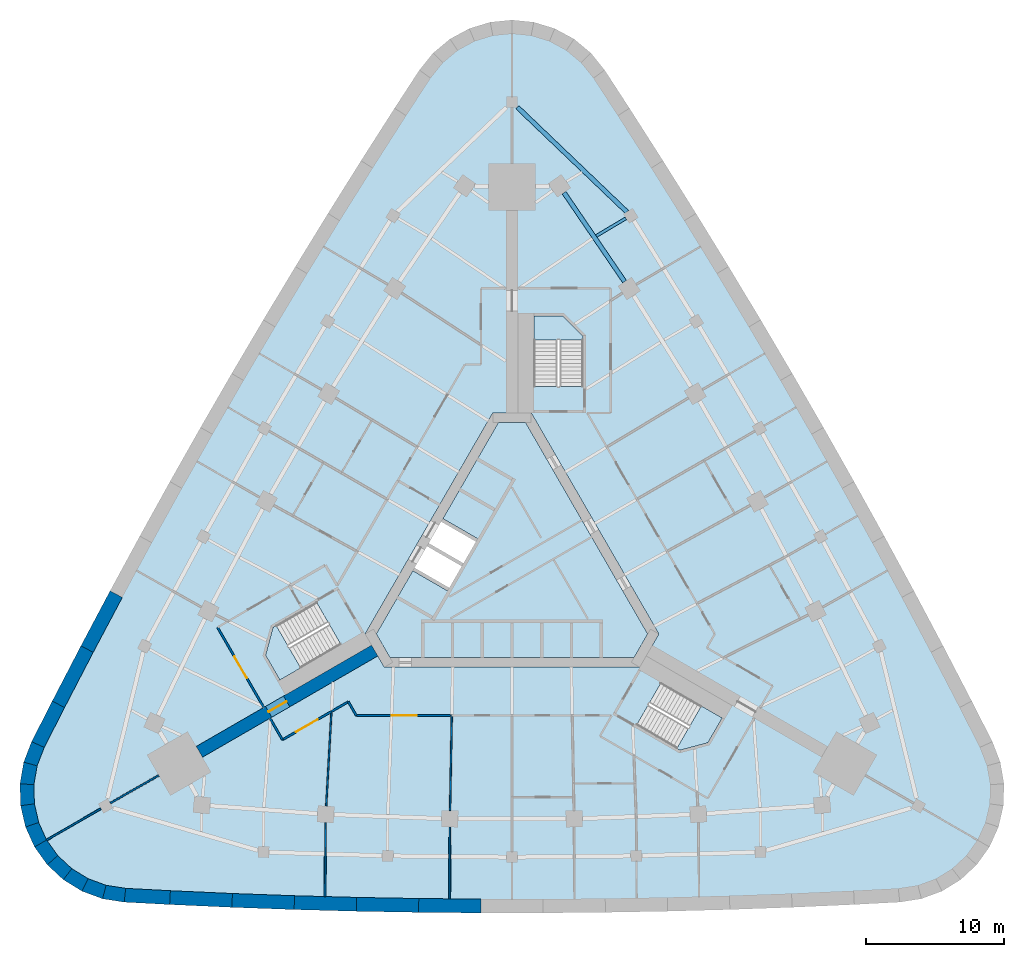
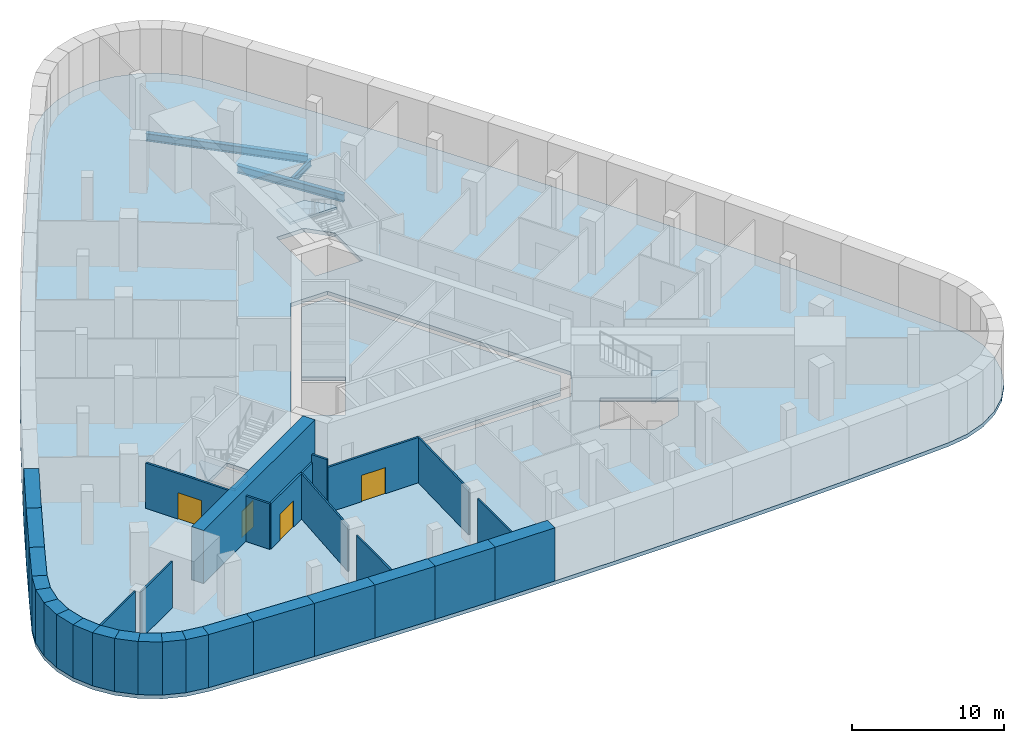
# One storey, part 3 of 9: 32 walls, 5 slabs, 4 doors, 3 beams, 4 openings, 3 elements without a shape of their own.
"""IFC4 building model written with IfcOpenShell, lengths in metres."""

import ifcopenshell
import ifcopenshell.guid

model = None  # the IFC model being written
_history = None  # IfcOwnerHistory: only IFC2X3 demands one
_inside = {}  # id of a spatial element -> (the spatial element, [elements in it])
_under = {}  # id of a project, library or spatial element -> (it, [spatial elements below it])
_declared = {}  # id of a project -> (the project, [libraries it declares])
_typed = {}  # id of a type object -> (the type object, [elements of that type])
_made_of = {}  # id of a material, layer set ... -> (it, [elements and type objects made of it])


def new_model(schema):
    """Start an empty IFC model of exactly this schema.

    Asked for "IFC4X3", IfcOpenShell would pick the latest addendum, in which some entities
    have other attributes; the version numbers below select the first issue.
    IFC2X3 requires an IfcOwnerHistory on every rooted entity: one is made here for all.
    """
    global model, _history
    if schema == "IFC4X3":
        model = ifcopenshell.file(schema_version=(4, 3, 0, 0))
    else:
        model = ifcopenshell.file(schema=schema)
    _inside.clear()
    _under.clear()
    _declared.clear()
    _typed.clear()
    _made_of.clear()
    _history = None
    if model.schema == "IFC2X3":
        org = make("IfcOrganization", Name="unknown")
        user = make(
            "IfcPersonAndOrganization",
            ThePerson=make("IfcPerson", FamilyName="unknown"),
            TheOrganization=org,
        )
        app = make(
            "IfcApplication",
            ApplicationDeveloper=org,
            Version="unknown",
            ApplicationFullName="unknown",
            ApplicationIdentifier="unknown",
        )
        _history = make(
            "IfcOwnerHistory",
            OwningUser=user,
            OwningApplication=app,
            ChangeAction="ADDED",
            CreationDate=0,
        )
    return model


def make(cls, **values):
    """One entity of the class cls with the attributes given. An attribute that is None is left unset."""
    return model.create_entity(
        cls, **{name: value for name, value in values.items() if value is not None}
    )


def rooted(cls, **values):
    """An entity with a GlobalId (a new one), such as an element, a storey or a relation."""
    return make(cls, GlobalId=ifcopenshell.guid.new(), OwnerHistory=_history, **values)


def si_unit(unit_type, name, prefix=None):
    """IfcSIUnit, for example si_unit("LENGTHUNIT", "METRE", prefix="MILLI")."""
    return make("IfcSIUnit", UnitType=unit_type, Prefix=prefix, Name=name)


def assignment(units):
    """IfcUnitAssignment: the units of a project."""
    return None if units is None else make("IfcUnitAssignment", Units=units)


def point(xyz):
    """IfcCartesianPoint."""
    return None if xyz is None else make("IfcCartesianPoint", Coordinates=xyz)


def direction(xyz):
    """IfcDirection."""
    return None if xyz is None else make("IfcDirection", DirectionRatios=xyz)


def frame(location, z_axis=None, x_axis=None):
    """IfcAxis2Placement3D, a coordinate frame: its origin and axes. An axis left out is left unset."""
    return make(
        "IfcAxis2Placement3D",
        Location=point(location),
        Axis=direction(z_axis),
        RefDirection=direction(x_axis),
    )


def frame_2d(location, x_axis=None):
    """IfcAxis2Placement2D, a coordinate frame in the plane: its origin and x axis."""
    return make(
        "IfcAxis2Placement2D", Location=point(location), RefDirection=direction(x_axis)
    )


def origin():
    """The frame at (0, 0, 0) with its axes left unset."""
    return frame((0.0, 0.0, 0.0))


def origin_2d():
    """The frame at (0, 0) in the plane with its x axis left unset."""
    return frame_2d((0.0, 0.0))


def place(relative_to, where):
    """IfcLocalPlacement: puts the frame where relative to a parent placement (None: the world)."""
    return make(
        "IfcLocalPlacement", PlacementRelTo=relative_to, RelativePlacement=where
    )


def context(
    kind, dimensions, precision=None, world=None, true_north=None, identifier=None
):
    """IfcGeometricRepresentationContext, for example the 3D "Model" context."""
    return make(
        "IfcGeometricRepresentationContext",
        ContextIdentifier=identifier,
        ContextType=kind,
        CoordinateSpaceDimension=dimensions,
        Precision=precision,
        WorldCoordinateSystem=world,
        TrueNorth=true_north,
    )


def subcontext(parent, identifier, kind, view, scale=None):
    """IfcGeometricRepresentationSubContext, for example "Body" below "Model"."""
    return make(
        "IfcGeometricRepresentationSubContext",
        ContextIdentifier=identifier,
        ContextType=kind,
        ParentContext=parent,
        TargetScale=scale,
        TargetView=view,
    )


def project(units=None, contexts=None):
    """IfcProject with its units and contexts."""
    return rooted(
        "IfcProject",
        Name="project",
        RepresentationContexts=contexts,
        UnitsInContext=assignment(units),
    )


def spatial(cls, under=None, at=None, **own):
    """A site, building, storey or space (cls), placed at a placement, below another one or the project."""
    s = rooted(cls, ObjectPlacement=at, **own)
    if under is not None:
        _under.setdefault(under.id(), (under, []))[1].append(s)
    return s


def polyline(points):
    """IfcPolyline through the points."""
    return make("IfcPolyline", Points=[point(p) for p in points])


def profile(cls, at=None, kind="AREA", **sizes):
    """A parametric profile (cls). Its sizes go by their IFC names, for example OverallWidth=200.0."""
    return make(cls, ProfileType=kind, Position=at, **sizes)


def rectangle(**sizes):
    """IfcRectangleProfileDef."""
    return profile("IfcRectangleProfileDef", **sizes)


def i_section(**sizes):
    """IfcIShapeProfileDef."""
    return profile("IfcIShapeProfileDef", **sizes)


def outline(outer, holes=None, kind="AREA"):
    """IfcArbitraryClosedProfileDef: a profile drawn as a closed curve; with holes, ...WithVoids."""
    if holes is None:
        return make("IfcArbitraryClosedProfileDef", ProfileType=kind, OuterCurve=outer)
    return make(
        "IfcArbitraryProfileDefWithVoids",
        ProfileType=kind,
        OuterCurve=outer,
        InnerCurves=holes,
    )


def extrude(swept, where, along, depth):
    """IfcExtrudedAreaSolid: the profile swept, set in the frame where, extruded along a direction by depth."""
    return make(
        "IfcExtrudedAreaSolid",
        SweptArea=swept,
        Position=where,
        ExtrudedDirection=direction(along),
        Depth=depth,
    )


def shape(context_of_items, identifier, shape_type, items):
    """IfcShapeRepresentation: the items that make up one representation, for example the "Body"."""
    return make(
        "IfcShapeRepresentation",
        ContextOfItems=context_of_items,
        RepresentationIdentifier=identifier,
        RepresentationType=shape_type,
        Items=items,
    )


def material(Name=None, Category=None):
    """IfcMaterial."""
    return make("IfcMaterial", Name=Name, Category=Category)


def layer(
    of_material, thickness, ventilated=None, Name=None, Category=None, Priority=None
):
    """IfcMaterialLayer: one layer of a wall or slab, of a material (None: an air gap)."""
    return make(
        "IfcMaterialLayer",
        Material=of_material,
        LayerThickness=thickness,
        IsVentilated=ventilated,
        Name=Name,
        Category=Category,
        Priority=Priority,
    )


def layer_set(layers, Name=None):
    """IfcMaterialLayerSet."""
    return make("IfcMaterialLayerSet", MaterialLayers=layers, LayerSetName=Name)


def material_profile(
    of_material, cross_section, Name=None, Category=None, Priority=None
):
    """IfcMaterialProfile: a cross section and its material."""
    return make(
        "IfcMaterialProfile",
        Name=Name,
        Material=of_material,
        Profile=cross_section,
        Priority=Priority,
        Category=Category,
    )


def profile_set(profiles, Name=None, composite=None):
    """IfcMaterialProfileSet."""
    return make(
        "IfcMaterialProfileSet",
        Name=Name,
        MaterialProfiles=profiles,
        CompositeProfile=composite,
    )


def made_of(thing, what):
    """Note that an element or type object is made of a material, layer set ...; save() writes the relation."""
    if what is not None:
        _made_of.setdefault(what.id(), (what, []))[1].append(thing)
    return thing


def type_object(cls, material=None, **own):
    """A type object (cls), such as IfcWallType, which elements share."""
    return made_of(rooted(cls, **own), material)


def element(
    cls,
    number,
    at=None,
    inside=None,
    cuts=None,
    type_object=None,
    material=None,
    context=None,
    identifier="Body",
    shape_type=None,
    held_by="IfcProductDefinitionShape",
    body=None,
    shapes=None,
    **own,
):
    """One element of the class cls, such as IfcWall. Its Tag is "e" and its number.

    at: its placement. inside: the storey or other place that contains it. cuts: it is an
    opening in that element (IfcRelVoidsElement). A single representation is given by context,
    identifier, shape_type and body (its items); several are given by shapes. held_by: the class
    of the entity that holds the representations. save() writes the other relations.
    """
    e = rooted(cls, Tag="e%d" % number, ObjectPlacement=at, **own)
    if body is not None:
        shapes = [shape(context, identifier, shape_type, body)]
    if shapes is not None:
        e.Representation = make(held_by, Representations=shapes)
    if inside is not None:
        _inside.setdefault(inside.id(), (inside, []))[1].append(e)
    if cuts is not None:
        rooted(
            "IfcRelVoidsElement", RelatingBuildingElement=cuts, RelatedOpeningElement=e
        )
    if type_object is not None:
        _typed.setdefault(type_object.id(), (type_object, []))[1].append(e)
    return made_of(e, material)


def fill(opening, filler):
    """IfcRelFillsElement: the door or window that sits in an opening."""
    return rooted(
        "IfcRelFillsElement",
        RelatingOpeningElement=opening,
        RelatedBuildingElement=filler,
    )


def aggregate(whole, parts):
    """IfcRelAggregates: a whole, such as a stair, and the parts it consists of."""
    return rooted("IfcRelAggregates", RelatingObject=whole, RelatedObjects=parts)


def save(model, path):
    """Write the relations noted so far, then the file.

    IfcRelAggregates (storeys below a building ...), IfcRelContainedInSpatialStructure (elements
    in a storey), IfcRelDefinesByType, IfcRelAssociatesMaterial and IfcRelDeclares: one each for
    every whole, place, type object, material and project.
    """
    for whole, parts in _under.values():
        aggregate(whole, parts)
    for where, things in _inside.values():
        rooted(
            "IfcRelContainedInSpatialStructure",
            RelatedElements=things,
            RelatingStructure=where,
        )
    for kind, things in _typed.values():
        rooted("IfcRelDefinesByType", RelatedObjects=things, RelatingType=kind)
    for what, things in _made_of.values():
        rooted("IfcRelAssociatesMaterial", RelatedObjects=things, RelatingMaterial=what)
    for by, libraries in _declared.values():
        rooted("IfcRelDeclares", RelatingContext=by, RelatedDefinitions=libraries)
    model.write(path)


model = new_model("IFC4")

# Units and contexts
model_context = context("Model", 3, precision=1e-05, world=origin(), true_north=direction((0.0, 1.0)))
body_context = subcontext(model_context, "Body", "Model", "MODEL_VIEW")
ifc_project = project(units=[si_unit("LENGTHUNIT", "METRE"), si_unit("AREAUNIT", "SQUARE_METRE"), si_unit("VOLUMEUNIT", "CUBIC_METRE"), si_unit("PLANEANGLEUNIT", "RADIAN"), si_unit("MASSUNIT", "GRAM", prefix="KILO")], contexts=[model_context])

# Site, building, storey
site_placement = place(None, origin())
site = spatial("IfcSite", under=ifc_project, at=site_placement, CompositionType="ELEMENT")
building_placement = place(site_placement, origin())
building = spatial("IfcBuilding", under=site, at=building_placement, Name="Noor Cloister Tower", CompositionType="ELEMENT")
storey_placement = place(building_placement, frame((0.0, 0.0, -4.5)))
storey = spatial("IfcBuildingStorey", under=building, at=storey_placement, Name="B1", CompositionType="ELEMENT", Elevation=-4.5)

# Beams
ifc_material_1 = material(Name="Steel ASTM A992 Gr 50", Category="steel")
ifc_material_profile_1 = material_profile(ifc_material_1, i_section(OverallWidth=0.324951171875, OverallDepth=0.612060546875, WebThickness=0.0126953125, FlangeThickness=0.01904296875, FilletRadius=0.0126953125, at=origin_2d()), Name="W610x155")
ifc_profile_set_1 = profile_set([ifc_material_profile_1], Name="Steel ASTM A992 Gr 50")
beam_type_1 = type_object("IfcBeamType", Name="Podium column line beam W610x155", PredefinedType="BEAM", material=ifc_profile_set_1)
beam_1_placement = place(storey_placement, frame((8.136962890625, 20.93408203125, -0.60595703125), z_axis=(-0.562836146896, 0.826568491867, 0.0), x_axis=(-0.826568491867, -0.562836146896, 0.0)))
element("IfcBeam", 1, at=beam_1_placement, inside=storey, type_object=beam_type_1, Name="Podium column line beam NE 08 B1", PredefinedType="BEAM", context=body_context, shape_type="SweptSolid", body=[
    extrude(i_section(OverallWidth=0.324951171875, OverallDepth=0.612060546875, WebThickness=0.0126953125, FlangeThickness=0.01904296875, FilletRadius=0.0126953125, at=origin_2d()), origin(), (0.0, 0.0, 1.0), 7.77880859375),
])
ifc_material_2 = material(Name="Steel ASTM A992 Gr 50", Category="steel")
ifc_material_profile_2 = material_profile(ifc_material_2, i_section(OverallWidth=0.324951171875, OverallDepth=0.616943359375, WebThickness=0.013916015625, FlangeThickness=0.021484375, FilletRadius=0.0126953125, at=origin_2d()), Name="W610x174")
ifc_profile_set_2 = profile_set([ifc_material_profile_2], Name="Steel ASTM A992 Gr 50")
beam_type_2 = type_object("IfcBeamType", Name="Podium perimeter beam W610x174", PredefinedType="BEAM", material=ifc_profile_set_2)
beam_2_placement = place(storey_placement, frame((8.29443359375, 25.979248046875, -0.6083984375), z_axis=(-0.722642827837, 0.691221631154, 0.0), x_axis=(-0.691221631154, -0.722642827837, 0.0)))
element("IfcBeam", 2, at=beam_2_placement, inside=storey, type_object=beam_type_2, Name="Podium perimeter beam 18 B1", PredefinedType="BEAM", context=body_context, shape_type="SweptSolid", body=[
    extrude(i_section(OverallWidth=0.324951171875, OverallDepth=0.616943359375, WebThickness=0.013916015625, FlangeThickness=0.021484375, FilletRadius=0.0126953125, at=origin_2d()), origin(), (0.0, 0.0, 1.0), 10.924560546875),
])
ifc_material_3 = material(Name="Steel ASTM A992 Gr 50", Category="steel")
ifc_material_profile_3 = material_profile(ifc_material_3, i_section(OverallWidth=0.208984375, OverallDepth=0.532958984375, WebThickness=0.01025390625, FlangeThickness=0.015625, FilletRadius=0.0126953125, at=origin_2d()), Name="W530x92")
ifc_profile_set_3 = profile_set([ifc_material_profile_3], Name="Steel ASTM A992 Gr 50")
beam_type_3 = type_object("IfcBeamType", Name="Podium stub beam W530x92", PredefinedType="BEAM", material=ifc_profile_set_3)
beam_3_placement = place(storey_placement, frame((6.08642578125, 24.234375, -0.56640625), z_axis=(0.859392031869, 0.511317255292, 0.0), x_axis=(-0.511317255292, 0.859392031869, 0.0)))
element("IfcBeam", 3, at=beam_3_placement, inside=storey, type_object=beam_type_3, Name="Podium stub beam NE 09 B1", PredefinedType="BEAM", context=body_context, shape_type="SweptSolid", body=[
    extrude(i_section(OverallWidth=0.208984375, OverallDepth=0.532958984375, WebThickness=0.01025390625, FlangeThickness=0.015625, FilletRadius=0.0126953125, at=origin_2d()), origin(), (0.0, 0.0, 1.0), 2.4990234375),
])

# Slabs
ifc_material_4 = material(Name="Concrete C40/50", Category="concrete")
ifc_layer_1 = layer(ifc_material_4, 0.300048828125)
ifc_layer_set_1 = layer_set([ifc_layer_1], Name="Basement floor slab 300")
slab_type_1 = type_object("IfcSlabType", Name="Basement floor slab 300", PredefinedType="FLOOR", material=ifc_layer_set_1)
slab_1_placement = place(storey_placement, frame((0.0, 0.0, -0.300048828125)))
element("IfcSlab", 4, at=slab_1_placement, inside=storey, type_object=slab_type_1, Name="Floor slab B1", PredefinedType="FLOOR", context=body_context, shape_type="SweptSolid", body=[
    extrude(outline(polyline([(6.693603515625, 36.22509765625), (5.699462890625, 37.45751953125), (4.482177734375, 38.469970703125), (3.08935546875, 39.222900390625), (1.57568359375, 39.686767578125), (0.0, 39.843505859375), (-1.57568359375, 39.686767578125), (-3.08935546875, 39.222900390625), (-4.482177734375, 38.469970703125), (-5.699462890625, 37.45751953125), (-6.693603515625, 36.22509765625), (-8.486083984375, 33.466796875), (-10.908935546875, 29.674560546875), (-13.29736328125, 25.86083984375), (-15.651611328125, 22.02587890625), (-17.971435546875, 18.169677734375), (-20.25634765625, 14.29296875), (-22.50634765625, 10.39599609375), (-24.72119140625, 6.478759765625), (-26.900634765625, 2.541748046875), (-29.044921875, -1.41455078125), (-31.1533203125, -5.389892578125), (-33.22607421875, -9.384033203125), (-34.718505859375, -12.315673828125), (-35.288818359375, -13.792724609375), (-35.55712890625, -15.353271484375), (-35.5126953125, -16.93603515625), (-35.15771484375, -18.47900390625), (-34.505615234375, -19.921875), (-33.58203125, -21.2080078125), (-32.42333984375, -22.287109375), (-31.074951171875, -23.11669921875), (-29.58935546875, -23.66455078125), (-28.02490234375, -23.9091796875), (-24.739990234375, -24.08251953125), (-20.244384765625, -24.28466796875), (-15.747314453125, -24.4462890625), (-11.2490234375, -24.567626953125), (-6.749755859375, -24.6484375), (-2.25, -24.68896484375), (2.25, -24.68896484375), (6.749755859375, -24.6484375), (11.2490234375, -24.567626953125), (15.747314453125, -24.4462890625), (20.244384765625, -24.28466796875), (24.739990234375, -24.08251953125), (28.02490234375, -23.9091796875), (29.58935546875, -23.66455078125), (31.074951171875, -23.11669921875), (32.42333984375, -22.287109375), (33.58203125, -21.2080078125), (34.505615234375, -19.921875), (35.15771484375, -18.47900390625), (35.5126953125, -16.93603515625), (35.55712890625, -15.353271484375), (35.288818359375, -13.792724609375), (34.718505859375, -12.315673828125), (33.22607421875, -9.384033203125), (31.1533203125, -5.389892578125), (29.044921875, -1.41455078125), (26.900634765625, 2.541748046875), (24.72119140625, 6.478759765625), (22.50634765625, 10.39599609375), (20.25634765625, 14.29296875), (17.971435546875, 18.169677734375), (15.651611328125, 22.02587890625), (13.29736328125, 25.86083984375), (10.908935546875, 29.674560546875), (8.486083984375, 33.466796875), (6.693603515625, 36.22509765625)]), holes=[polyline([(-9.228759765625, -6.92822265625), (9.228759765625, -6.92822265625), (10.6142578125, -4.5283203125), (1.3857421875, 11.456298828125), (-1.3857421875, 11.456298828125), (-10.6142578125, -4.5283203125), (-9.228759765625, -6.92822265625)]), polyline([(1.585693359375, 18.456298828125), (1.585693359375, 13.35693359375), (5.135498046875, 13.35693359375), (5.135498046875, 16.9736328125), (3.65283203125, 18.456298828125), (1.585693359375, 18.456298828125)]), polyline([(-16.776611328125, -7.85498046875), (-12.3603515625, -5.305419921875), (-14.13525390625, -2.23095703125), (-16.662841796875, -3.690185546875), (-17.267333984375, -4.039306640625), (-17.81005859375, -6.064697265625), (-16.776611328125, -7.85498046875)]), polyline([(12.131591796875, -12.934326171875), (14.1572265625, -12.3916015625), (15.19091796875, -10.601318359375), (10.774658203125, -8.0517578125), (8.999755859375, -11.126220703125), (12.131591796875, -12.934326171875)])]), origin(), (0.0, 0.0, 1.0), 0.300048828125),
])
ifc_material_5 = material(Name="Concrete C40/50", Category="concrete")
ifc_layer_2 = layer(ifc_material_5, 0.300048828125)
ifc_layer_set_2 = layer_set([ifc_layer_2], Name="Core floor slab 300 C40/50")
slab_type_2 = type_object("IfcSlabType", Name="Core floor slab 300 C40/50", PredefinedType="FLOOR", material=ifc_layer_set_2)
slab_2_placement = place(storey_placement, frame((0.0, 0.0, -0.300048828125)))
element("IfcSlab", 5, at=slab_2_placement, inside=storey, type_object=slab_type_2, Name="Core floor B1", PredefinedType="FLOOR", context=body_context, shape_type="SweptSolid", body=[
    extrude(outline(polyline([(-4.993896484375, 3.806884765625), (-2.482421875, 2.35693359375), (-4.6572265625, -1.410400390625), (-7.168701171875, 0.039794921875), (-9.80615234375, -4.5283203125), (-8.82470703125, -6.228271484375), (8.82470703125, -6.228271484375), (9.80615234375, -4.5283203125), (0.9814453125, 10.75634765625), (-0.9814453125, 10.75634765625), (-4.993896484375, 3.806884765625)])), origin(), (0.0, 0.0, 1.0), 0.300048828125),
])

# Stair, slab
ifc_material_6 = material(Name="Concrete C40/50", Category="concrete")
stair_type = type_object("IfcStairType", Name="Exit stair 26 risers", PredefinedType="HALF_TURN_STAIR", material=ifc_material_6)
stair_1_placement = place(storey_placement, origin())
stair_1 = element("IfcStair", 6, at=stair_1_placement, inside=storey, type_object=stair_type, Name="Exit stair ST1 B1", PredefinedType="HALF_TURN_STAIR")
ifc_material_7 = material(Name="Concrete C40/50", Category="concrete")
ifc_layer_3 = layer(ifc_material_7, 0.199951171875)
ifc_layer_set_3 = layer_set([ifc_layer_3], Name="Stair landing 200 C40/50")
slab_type_3 = type_object("IfcSlabType", Name="Stair landing 200 C40/50", PredefinedType="LANDING", material=ifc_layer_set_3)
slab_3_placement = place(storey_placement, frame((0.0, 0.0, 2.050048828125)))
slab_3 = element("IfcSlab", 7, at=slab_3_placement, type_object=slab_type_3, Name="ST1 landing 1", PredefinedType="LANDING", context=body_context, shape_type="SweptSolid", body=[
    extrude(outline(polyline([(5.135498046875, 16.7158203125), (5.135498046875, 16.9736328125), (3.65283203125, 18.456298828125), (1.585693359375, 18.456298828125), (1.585693359375, 16.7158203125), (5.135498046875, 16.7158203125)])), origin(), (0.0, 0.0, 1.0), 0.199951171875),
])
aggregate(stair_1, [slab_3])

stair_2_placement = place(storey_placement, origin())
stair_2 = element("IfcStair", 8, at=stair_2_placement, inside=storey, type_object=stair_type, Name="Exit stair ST2 B1", PredefinedType="HALF_TURN_STAIR")
slab_4_placement = place(storey_placement, frame((0.0, 0.0, 2.050048828125)))
slab_4 = element("IfcSlab", 9, at=slab_4_placement, type_object=slab_type_3, Name="ST2 landing 1", PredefinedType="LANDING", context=body_context, shape_type="SweptSolid", body=[
    extrude(outline(polyline([(-17.044189453125, -3.910400390625), (-17.267333984375, -4.039306640625), (-17.81005859375, -6.064697265625), (-16.776611328125, -7.85498046875), (-15.26904296875, -6.984619140625), (-17.044189453125, -3.910400390625)])), origin(), (0.0, 0.0, 1.0), 0.199951171875),
])
aggregate(stair_2, [slab_4])

stair_3_placement = place(storey_placement, origin())
stair_3 = element("IfcStair", 10, at=stair_3_placement, inside=storey, type_object=stair_type, Name="Exit stair ST3 B1", PredefinedType="HALF_TURN_STAIR")
slab_5_placement = place(storey_placement, frame((0.0, 0.0, 2.050048828125)))
slab_5 = element("IfcSlab", 11, at=slab_5_placement, type_object=slab_type_3, Name="ST3 landing 1", PredefinedType="LANDING", context=body_context, shape_type="SweptSolid", body=[
    extrude(outline(polyline([(11.908447265625, -12.805419921875), (12.131591796875, -12.934326171875), (14.1572265625, -12.3916015625), (15.19091796875, -10.601318359375), (13.68359375, -9.731201171875), (11.908447265625, -12.805419921875)])), origin(), (0.0, 0.0, 1.0), 0.199951171875),
])
aggregate(stair_3, [slab_5])

# Wall, opening, door
ifc_material_8 = material(Name="Concrete C80/95", Category="concrete")
ifc_layer_4 = layer(ifc_material_8, 0.89990234375)
ifc_layer_set_4 = layer_set([ifc_layer_4], Name="Buttress wall 900 C80/95")
wall_type_1 = type_object("IfcWallType", Name="Buttress wall 900 C80/95", PredefinedType="SHEAR", material=ifc_layer_set_4)
wall_1_placement = place(storey_placement, frame((-9.921630859375, -5.728271484375, -0.300048828125), z_axis=(0.0, 0.0, 1.0), x_axis=(-0.866028046028, -0.499995423472, 0.0)))
wall_1 = element("IfcWall", 12, at=wall_1_placement, inside=storey, type_object=wall_type_1, Name="Buttress wall SW B1", PredefinedType="SHEAR", context=body_context, shape_type="SweptSolid", body=[
    extrude(rectangle(XDim=14.632568359375, YDim=0.89990234375, at=frame_2d((7.31640625, 0.0))), origin(), (0.0, 0.0, 1.0), 4.550048828125),
])
opening_1_placement = place(wall_1_placement, frame((7.35009765625, 0.0, 0.300048828125)))
opening_1 = element("IfcOpeningElement", 13, at=opening_1_placement, cuts=wall_1, Name="Opening B1-030", PredefinedType="OPENING", context=body_context, shape_type="SweptSolid", body=[
    extrude(rectangle(XDim=1.5, YDim=2.10009765625, at=frame_2d((0.75, 1.050048828125))), frame((0.0, 0.4599609375, 0.0), z_axis=(0.0, -1.0, 0.0), x_axis=(1.0, 0.0, 0.0)), (0.0, 0.0, 1.0), 0.919921875),
])
ifc_material_9 = material(Name="Steel fire door", Category="steel")
door_type_1 = type_object("IfcDoorType", Name="Smoke barrier door FD60 1500", OperationType="DOUBLE_DOOR_SINGLE_SWING", PredefinedType="DOOR", material=ifc_material_9)
door_1_placement = place(opening_1_placement, origin())
door_1 = element("IfcDoor", 14, at=door_1_placement, inside=storey, type_object=door_type_1, Name="Door B1-030", OperationType="DOUBLE_DOOR_SINGLE_SWING", OverallHeight=2.10009765625, OverallWidth=1.5, PredefinedType="DOOR", context=body_context, shape_type="SweptSolid", body=[
    extrude(rectangle(XDim=1.5, YDim=2.10009765625, at=frame_2d((0.75, 1.050048828125))), frame((0.0, 0.02490234375, 0.0), z_axis=(0.0, -1.0, 0.0), x_axis=(1.0, 0.0, 0.0)), (0.0, 0.0, 1.0), 0.050048828125),
])
fill(opening_1, door_1)

ifc_material_10 = material(Name="Plasterboard on steel studs", Category="steel")
ifc_layer_5 = layer(ifc_material_10, 0.14990234375)
ifc_layer_set_5 = layer_set([ifc_layer_5], Name="Corridor wall 150")
wall_type_2 = type_object("IfcWallType", Name="Corridor wall 150", PredefinedType="PARTITIONING", material=ifc_layer_set_5)
wall_2_placement = place(storey_placement, frame((-13.044921875, -10.1298828125, 0.0), z_axis=(0.0, 0.0, 1.0), x_axis=(-0.866035577775, -0.499982377718, 0.0)))
wall_2 = element("IfcWall", 15, at=wall_2_placement, inside=storey, type_object=wall_type_2, Name="Partition", PredefinedType="PARTITIONING", context=body_context, shape_type="SweptSolid", body=[
    extrude(rectangle(XDim=4.092529296875, YDim=0.14990234375, at=frame_2d((2.04638671875, 0.0))), origin(), (0.0, 0.0, 1.0), 3.637939453125),
])
opening_2_placement = place(wall_2_placement, frame((1.14990234375, 0.0, 0.0)))
opening_2 = element("IfcOpeningElement", 16, at=opening_2_placement, cuts=wall_2, Name="Opening B1-005", PredefinedType="OPENING", context=body_context, shape_type="SweptSolid", body=[
    extrude(rectangle(XDim=1.800048828125, YDim=2.10009765625, at=frame_2d((0.89990234375, 1.050048828125))), frame((0.0, 0.0849609375, 0.0), z_axis=(0.0, -1.0, 0.0), x_axis=(1.0, 0.0, 0.0)), (0.0, 0.0, 1.0), 0.169921875),
])
ifc_material_11 = material(Name="Timber door leaf", Category="wood")
door_type_2 = type_object("IfcDoorType", Name="Double leaf door 1800", OperationType="DOUBLE_DOOR_SINGLE_SWING", PredefinedType="DOOR", material=ifc_material_11)
door_2_placement = place(opening_2_placement, origin())
door_2 = element("IfcDoor", 17, at=door_2_placement, inside=storey, type_object=door_type_2, Name="Door B1-005", OperationType="DOUBLE_DOOR_SINGLE_SWING", OverallHeight=2.10009765625, OverallWidth=1.800048828125, PredefinedType="DOOR", context=body_context, shape_type="SweptSolid", body=[
    extrude(rectangle(XDim=1.800048828125, YDim=2.10009765625, at=frame_2d((0.89990234375, 1.050048828125))), frame((0.0, 0.02490234375, 0.0), z_axis=(0.0, -1.0, 0.0), x_axis=(1.0, 0.0, 0.0)), (0.0, 0.0, 1.0), 0.050048828125),
])
fill(opening_2, door_2)

# Wall
wall_3_placement = place(storey_placement, frame((-16.591064453125, -12.176025390625, 0.0), z_axis=(0.0, 0.0, 1.0), x_axis=(-0.499965372359, 0.866045395139, 0.0)))
element("IfcWall", 18, at=wall_3_placement, inside=storey, type_object=wall_type_2, Name="Partition", PredefinedType="PARTITIONING", context=body_context, shape_type="SweptSolid", body=[
    extrude(rectangle(XDim=1.798095703125, YDim=0.14990234375, at=frame_2d((0.89892578125, 0.0))), origin(), (0.0, 0.0, 1.0), 3.637939453125),
])

# Wall, opening, door
wall_4_placement = place(storey_placement, frame((-4.346923828125, -10.427978515625, 0.0), z_axis=(0.0, 0.0, 1.0), x_axis=(-1.0, 0.0, 0.0)))
wall_4 = element("IfcWall", 19, at=wall_4_placement, inside=storey, type_object=wall_type_2, Name="Partition", PredefinedType="PARTITIONING", context=body_context, shape_type="SweptSolid", body=[
    extrude(rectangle(XDim=6.902099609375, YDim=0.14990234375, at=frame_2d((3.451171875, 0.0))), origin(), (0.0, 0.0, 1.0), 3.637939453125),
])
opening_3_placement = place(wall_4_placement, frame((2.550048828125, 0.0, 0.0)))
opening_3 = element("IfcOpeningElement", 20, at=opening_3_placement, cuts=wall_4, Name="Opening B1-007", PredefinedType="OPENING", context=body_context, shape_type="SweptSolid", body=[
    extrude(rectangle(XDim=1.800048828125, YDim=2.10009765625, at=frame_2d((0.89990234375, 1.050048828125))), frame((0.0, 0.0849609375, 0.0), z_axis=(0.0, -1.0, 0.0), x_axis=(1.0, 0.0, 0.0)), (0.0, 0.0, 1.0), 0.169921875),
])
door_3_placement = place(opening_3_placement, origin())
door_3 = element("IfcDoor", 21, at=door_3_placement, inside=storey, type_object=door_type_2, Name="Door B1-007", OperationType="DOUBLE_DOOR_SINGLE_SWING", OverallHeight=2.10009765625, OverallWidth=1.800048828125, PredefinedType="DOOR", context=body_context, shape_type="SweptSolid", body=[
    extrude(rectangle(XDim=1.800048828125, YDim=2.10009765625, at=frame_2d((0.89990234375, 1.050048828125))), frame((0.0, 0.02490234375, 0.0), z_axis=(0.0, -1.0, 0.0), x_axis=(1.0, 0.0, 0.0)), (0.0, 0.0, 1.0), 0.050048828125),
])
fill(opening_3, door_3)

# Walls
wall_5_placement = place(storey_placement, frame((-11.2490234375, -10.427978515625, 0.0), z_axis=(0.0, 0.0, 1.0), x_axis=(-0.499978438088, 0.866037852202, 0.0)))
element("IfcWall", 22, at=wall_5_placement, inside=storey, type_object=wall_type_2, Name="Partition", PredefinedType="PARTITIONING", context=body_context, shape_type="SweptSolid", body=[
    extrude(rectangle(XDim=1.15576171875, YDim=0.14990234375, at=frame_2d((0.577880859375, 0.0))), origin(), (0.0, 0.0, 1.0), 4.25),
])
wall_6_placement = place(storey_placement, frame((-11.827880859375, -9.427001953125, 0.0), z_axis=(0.0, 0.0, 1.0), x_axis=(-0.866110865696, -0.499851946404, 0.0)))
element("IfcWall", 23, at=wall_6_placement, inside=storey, type_object=wall_type_2, Name="Partition", PredefinedType="PARTITIONING", context=body_context, shape_type="SweptSolid", body=[
    extrude(rectangle(XDim=1.41455078125, YDim=0.14990234375, at=frame_2d((0.707275390625, 0.0))), origin(), (0.0, 0.0, 1.0), 3.637939453125),
])

# Wall, opening, door
wall_7_placement = place(storey_placement, frame((-17.94091796875, -9.837890625, 0.0), z_axis=(0.0, 0.0, 1.0), x_axis=(-0.500048140185, 0.865997608252, 0.0)))
wall_7 = element("IfcWall", 24, at=wall_7_placement, inside=storey, type_object=wall_type_2, Name="Partition", PredefinedType="PARTITIONING", context=body_context, shape_type="SweptSolid", body=[
    extrude(rectangle(XDim=6.683349609375, YDim=0.14990234375, at=frame_2d((3.341796875, 0.0))), origin(), (0.0, 0.0, 1.0), 3.637939453125),
])
opening_4_placement = place(wall_7_placement, frame((2.449951171875, 0.0, 0.0)))
opening_4 = element("IfcOpeningElement", 25, at=opening_4_placement, cuts=wall_7, Name="Opening B1-011", PredefinedType="OPENING", context=body_context, shape_type="SweptSolid", body=[
    extrude(rectangle(XDim=1.800048828125, YDim=2.10009765625, at=frame_2d((0.89990234375, 1.050048828125))), frame((0.0, 0.0849609375, 0.0), z_axis=(0.0, -1.0, 0.0), x_axis=(1.0, 0.0, 0.0)), (0.0, 0.0, 1.0), 0.169921875),
])
door_4_placement = place(opening_4_placement, origin())
door_4 = element("IfcDoor", 26, at=door_4_placement, inside=storey, type_object=door_type_2, Name="Door B1-011", OperationType="DOUBLE_DOOR_SINGLE_SWING", OverallHeight=2.10009765625, OverallWidth=1.800048828125, PredefinedType="DOOR", context=body_context, shape_type="SweptSolid", body=[
    extrude(rectangle(XDim=1.800048828125, YDim=2.10009765625, at=frame_2d((0.89990234375, 1.050048828125))), frame((0.0, 0.02490234375, 0.0), z_axis=(0.0, -1.0, 0.0), x_axis=(1.0, 0.0, 0.0)), (0.0, 0.0, 1.0), 0.050048828125),
])
fill(opening_4, door_4)

# Walls
ifc_material_12 = material(Name="Concrete C50/60", Category="concrete")
ifc_layer_6 = layer(ifc_material_12, 1.0)
ifc_layer_set_6 = layer_set([ifc_layer_6], Name="Diaphragm wall 1000")
wall_type_3 = type_object("IfcWallType", Name="Diaphragm wall 1000", PredefinedType="SOLIDWALL", material=ifc_layer_set_6)
wall_8_placement = place(storey_placement, origin())
element("IfcWall", 27, at=wall_8_placement, inside=storey, type_object=wall_type_3, Name="Basement wall 21", PredefinedType="SOLIDWALL", context=body_context, shape_type="SweptSolid", body=[
    extrude(outline(polyline([(-29.044921875, -1.41455078125), (-31.1533203125, -5.389892578125), (-30.267822265625, -5.8544921875), (-28.16357421875, -1.886962890625), (-29.044921875, -1.41455078125)])), origin(), (0.0, 0.0, 1.0), 4.25),
])
wall_9_placement = place(storey_placement, origin())
element("IfcWall", 28, at=wall_9_placement, inside=storey, type_object=wall_type_3, Name="Basement wall 22", PredefinedType="SOLIDWALL", context=body_context, shape_type="SweptSolid", body=[
    extrude(outline(polyline([(-31.1533203125, -5.389892578125), (-33.22607421875, -9.384033203125), (-32.336669921875, -9.84130859375), (-30.267822265625, -5.8544921875), (-31.1533203125, -5.389892578125)])), origin(), (0.0, 0.0, 1.0), 4.25),
])
wall_10_placement = place(storey_placement, origin())
element("IfcWall", 29, at=wall_10_placement, inside=storey, type_object=wall_type_3, Name="Basement wall 23", PredefinedType="SOLIDWALL", context=body_context, shape_type="SweptSolid", body=[
    extrude(outline(polyline([(-33.22607421875, -9.384033203125), (-34.718505859375, -12.315673828125), (-33.80419921875, -12.723876953125), (-32.336669921875, -9.84130859375), (-33.22607421875, -9.384033203125)])), origin(), (0.0, 0.0, 1.0), 4.25),
])
wall_11_placement = place(storey_placement, origin())
element("IfcWall", 30, at=wall_11_placement, inside=storey, type_object=wall_type_3, Name="Basement wall 24", PredefinedType="SOLIDWALL", context=body_context, shape_type="SweptSolid", body=[
    extrude(outline(polyline([(-34.718505859375, -12.315673828125), (-35.288818359375, -13.792724609375), (-34.320068359375, -14.060302734375), (-33.80419921875, -12.723876953125), (-34.718505859375, -12.315673828125)])), origin(), (0.0, 0.0, 1.0), 4.25),
])
wall_12_placement = place(storey_placement, origin())
element("IfcWall", 31, at=wall_12_placement, inside=storey, type_object=wall_type_3, Name="Basement wall 25", PredefinedType="SOLIDWALL", context=body_context, shape_type="SweptSolid", body=[
    extrude(outline(polyline([(-35.288818359375, -13.792724609375), (-35.55712890625, -15.353271484375), (-34.5546875, -15.424560546875), (-34.320068359375, -14.060302734375), (-35.288818359375, -13.792724609375)])), origin(), (0.0, 0.0, 1.0), 4.25),
])
wall_13_placement = place(storey_placement, origin())
element("IfcWall", 32, at=wall_13_placement, inside=storey, type_object=wall_type_3, Name="Basement wall 26", PredefinedType="SOLIDWALL", context=body_context, shape_type="SweptSolid", body=[
    extrude(outline(polyline([(-35.55712890625, -15.353271484375), (-35.5126953125, -16.93603515625), (-34.515869140625, -16.80859375), (-34.5546875, -15.424560546875), (-35.55712890625, -15.353271484375)])), origin(), (0.0, 0.0, 1.0), 4.25),
])
wall_14_placement = place(storey_placement, origin())
element("IfcWall", 33, at=wall_14_placement, inside=storey, type_object=wall_type_3, Name="Basement wall 27", PredefinedType="SOLIDWALL", context=body_context, shape_type="SweptSolid", body=[
    extrude(outline(polyline([(-35.5126953125, -16.93603515625), (-35.15771484375, -18.47900390625), (-34.205322265625, -18.15771484375), (-34.515869140625, -16.80859375), (-35.5126953125, -16.93603515625)])), origin(), (0.0, 0.0, 1.0), 4.25),
])
wall_15_placement = place(storey_placement, origin())
element("IfcWall", 34, at=wall_15_placement, inside=storey, type_object=wall_type_3, Name="Basement wall 28", PredefinedType="SOLIDWALL", context=body_context, shape_type="SweptSolid", body=[
    extrude(outline(polyline([(-35.15771484375, -18.47900390625), (-34.505615234375, -19.921875), (-33.63525390625, -19.41943359375), (-34.205322265625, -18.15771484375), (-35.15771484375, -18.47900390625)])), origin(), (0.0, 0.0, 1.0), 4.25),
])
wall_16_placement = place(storey_placement, origin())
element("IfcWall", 35, at=wall_16_placement, inside=storey, type_object=wall_type_3, Name="Basement wall 29", PredefinedType="SOLIDWALL", context=body_context, shape_type="SweptSolid", body=[
    extrude(outline(polyline([(-34.505615234375, -19.921875), (-33.58203125, -21.2080078125), (-32.827880859375, -20.5439453125), (-33.63525390625, -19.41943359375), (-34.505615234375, -19.921875)])), origin(), (0.0, 0.0, 1.0), 4.25),
])
wall_17_placement = place(storey_placement, origin())
element("IfcWall", 36, at=wall_17_placement, inside=storey, type_object=wall_type_3, Name="Basement wall 30", PredefinedType="SOLIDWALL", context=body_context, shape_type="SweptSolid", body=[
    extrude(outline(polyline([(-33.58203125, -21.2080078125), (-32.42333984375, -22.287109375), (-31.814697265625, -21.4873046875), (-32.827880859375, -20.5439453125), (-33.58203125, -21.2080078125)])), origin(), (0.0, 0.0, 1.0), 4.25),
])
wall_18_placement = place(storey_placement, origin())
element("IfcWall", 37, at=wall_18_placement, inside=storey, type_object=wall_type_3, Name="Basement wall 31", PredefinedType="SOLIDWALL", context=body_context, shape_type="SweptSolid", body=[
    extrude(outline(polyline([(-32.42333984375, -22.287109375), (-31.074951171875, -23.11669921875), (-30.635498046875, -22.212890625), (-31.814697265625, -21.4873046875), (-32.42333984375, -22.287109375)])), origin(), (0.0, 0.0, 1.0), 4.25),
])
wall_19_placement = place(storey_placement, origin())
element("IfcWall", 38, at=wall_19_placement, inside=storey, type_object=wall_type_3, Name="Basement wall 32", PredefinedType="SOLIDWALL", context=body_context, shape_type="SweptSolid", body=[
    extrude(outline(polyline([(-31.074951171875, -23.11669921875), (-29.58935546875, -23.66455078125), (-29.336669921875, -22.69189453125), (-30.635498046875, -22.212890625), (-31.074951171875, -23.11669921875)])), origin(), (0.0, 0.0, 1.0), 4.25),
])
wall_20_placement = place(storey_placement, origin())
element("IfcWall", 39, at=wall_20_placement, inside=storey, type_object=wall_type_3, Name="Basement wall 33", PredefinedType="SOLIDWALL", context=body_context, shape_type="SweptSolid", body=[
    extrude(outline(polyline([(-29.58935546875, -23.66455078125), (-28.02490234375, -23.9091796875), (-27.921142578125, -22.913330078125), (-29.336669921875, -22.69189453125), (-29.58935546875, -23.66455078125)])), origin(), (0.0, 0.0, 1.0), 4.25),
])
wall_21_placement = place(storey_placement, origin())
element("IfcWall", 40, at=wall_21_placement, inside=storey, type_object=wall_type_3, Name="Basement wall 34", PredefinedType="SOLIDWALL", context=body_context, shape_type="SweptSolid", body=[
    extrude(outline(polyline([(-28.02490234375, -23.9091796875), (-24.739990234375, -24.08251953125), (-24.691162109375, -23.083740234375), (-27.921142578125, -22.913330078125), (-28.02490234375, -23.9091796875)])), origin(), (0.0, 0.0, 1.0), 4.25),
])
wall_22_placement = place(storey_placement, origin())
element("IfcWall", 41, at=wall_22_placement, inside=storey, type_object=wall_type_3, Name="Basement wall 35", PredefinedType="SOLIDWALL", context=body_context, shape_type="SweptSolid", body=[
    extrude(outline(polyline([(-24.739990234375, -24.08251953125), (-20.244384765625, -24.28466796875), (-20.2041015625, -23.285400390625), (-24.691162109375, -23.083740234375), (-24.739990234375, -24.08251953125)])), origin(), (0.0, 0.0, 1.0), 4.25),
])
wall_23_placement = place(storey_placement, origin())
element("IfcWall", 42, at=wall_23_placement, inside=storey, type_object=wall_type_3, Name="Basement wall 36", PredefinedType="SOLIDWALL", context=body_context, shape_type="SweptSolid", body=[
    extrude(outline(polyline([(-20.244384765625, -24.28466796875), (-15.747314453125, -24.4462890625), (-15.716064453125, -23.44677734375), (-20.2041015625, -23.285400390625), (-20.244384765625, -24.28466796875)])), origin(), (0.0, 0.0, 1.0), 4.25),
])
wall_24_placement = place(storey_placement, origin())
element("IfcWall", 43, at=wall_24_placement, inside=storey, type_object=wall_type_3, Name="Basement wall 37", PredefinedType="SOLIDWALL", context=body_context, shape_type="SweptSolid", body=[
    extrude(outline(polyline([(-15.747314453125, -24.4462890625), (-11.2490234375, -24.567626953125), (-11.2265625, -23.56787109375), (-15.716064453125, -23.44677734375), (-15.747314453125, -24.4462890625)])), origin(), (0.0, 0.0, 1.0), 4.25),
])
wall_25_placement = place(storey_placement, origin())
element("IfcWall", 44, at=wall_25_placement, inside=storey, type_object=wall_type_3, Name="Basement wall 38", PredefinedType="SOLIDWALL", context=body_context, shape_type="SweptSolid", body=[
    extrude(outline(polyline([(-11.2490234375, -24.567626953125), (-6.749755859375, -24.6484375), (-6.736328125, -23.648681640625), (-11.2265625, -23.56787109375), (-11.2490234375, -24.567626953125)])), origin(), (0.0, 0.0, 1.0), 4.25),
])
wall_26_placement = place(storey_placement, origin())
element("IfcWall", 45, at=wall_26_placement, inside=storey, type_object=wall_type_3, Name="Basement wall 39", PredefinedType="SOLIDWALL", context=body_context, shape_type="SweptSolid", body=[
    extrude(outline(polyline([(-6.749755859375, -24.6484375), (-2.25, -24.68896484375), (-2.24560546875, -23.68896484375), (-6.736328125, -23.648681640625), (-6.749755859375, -24.6484375)])), origin(), (0.0, 0.0, 1.0), 4.25),
])
ifc_material_13 = material(Name="Plasterboard on steel studs", Category="steel")
ifc_layer_7 = layer(ifc_material_13, 0.1201171875)
ifc_layer_set_7 = layer_set([ifc_layer_7], Name="Partition wall 120")
wall_type_4 = type_object("IfcWallType", Name="Partition wall 120", PredefinedType="PARTITIONING", material=ifc_layer_set_7)
wall_27_placement = place(storey_placement, frame((-13.51708984375, -23.506103515625, 0.0), z_axis=(0.0, 0.0, 1.0), x_axis=(0.00917685765, 0.999957891755, 0.0)))
element("IfcWall", 46, at=wall_27_placement, inside=storey, type_object=wall_type_4, Name="Partition", PredefinedType="PARTITIONING", context=body_context, shape_type="SweptSolid", body=[
    extrude(rectangle(XDim=5.347412109375, YDim=0.1201171875, at=frame_2d((2.673828125, 0.0))), origin(), (0.0, 0.0, 1.0), 3.633056640625),
])
wall_28_placement = place(storey_placement, frame((-13.428955078125, -16.9599609375, 0.0), z_axis=(0.0, 0.0, 1.0), x_axis=(0.055551088657, 0.998455846069, 0.0)))
element("IfcWall", 47, at=wall_28_placement, inside=storey, type_object=wall_type_4, Name="Partition", PredefinedType="PARTITIONING", context=body_context, shape_type="SweptSolid", body=[
    extrude(rectangle(XDim=6.83837890625, YDim=0.1201171875, at=frame_2d((3.419189453125, 0.0))), origin(), (0.0, 0.0, 1.0), 3.637939453125),
])
wall_29_placement = place(storey_placement, frame((-29.716064453125, -17.156982421875, 0.0), z_axis=(0.0, 0.0, 1.0), x_axis=(-0.866032814021, -0.499987164874, 0.0)))
element("IfcWall", 48, at=wall_29_placement, inside=storey, type_object=wall_type_4, Name="Partition", PredefinedType="PARTITIONING", context=body_context, shape_type="SweptSolid", body=[
    extrude(rectangle(XDim=4.52392578125, YDim=0.1201171875, at=frame_2d((2.261962890625, 0.0))), origin(), (0.0, 0.0, 1.0), 4.25),
])
wall_30_placement = place(storey_placement, frame((-25.5380859375, -14.7451171875, 0.0), z_axis=(0.0, 0.0, 1.0), x_axis=(-0.866027971625, -0.499995552344, 0.0)))
element("IfcWall", 49, at=wall_30_placement, inside=storey, type_object=wall_type_4, Name="Partition", PredefinedType="PARTITIONING", context=body_context, shape_type="SweptSolid", body=[
    extrude(rectangle(XDim=4.02392578125, YDim=0.1201171875, at=frame_2d((2.011962890625, 0.0))), origin(), (0.0, 0.0, 1.0), 3.717041015625),
])
wall_31_placement = place(storey_placement, frame((-4.490966796875, -18.491943359375, 0.0), z_axis=(0.0, 0.0, 1.0), x_axis=(-0.00292382622, -0.999995725611, 0.0)))
element("IfcWall", 50, at=wall_31_placement, inside=storey, type_object=wall_type_4, Name="Partition", PredefinedType="PARTITIONING", context=body_context, shape_type="SweptSolid", body=[
    extrude(rectangle(XDim=5.177001953125, YDim=0.1201171875, at=frame_2d((2.58837890625, 0.0))), origin(), (0.0, 0.0, 1.0), 3.633056640625),
])
wall_32_placement = place(storey_placement, frame((-4.35107421875, -10.428955078125, 0.0), z_axis=(0.0, 0.0, 1.0), x_axis=(-0.018497563981, -0.999828905427, 0.0)))
element("IfcWall", 51, at=wall_32_placement, inside=storey, type_object=wall_type_4, Name="Partition", PredefinedType="PARTITIONING", context=body_context, shape_type="SweptSolid", body=[
    extrude(rectangle(XDim=6.86328125, YDim=0.1201171875, at=frame_2d((3.431640625, 0.0))), origin(), (0.0, 0.0, 1.0), 3.637939453125),
])

save(model, "model.ifc")
